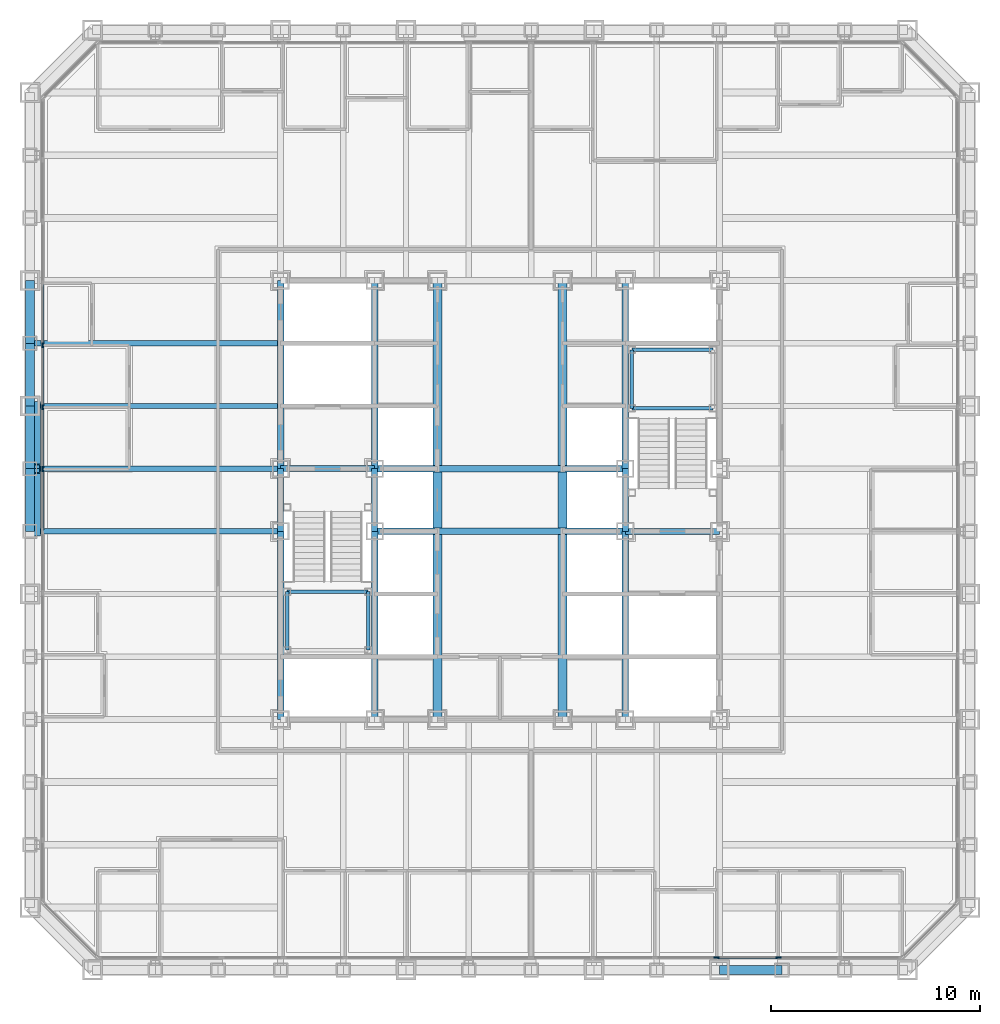
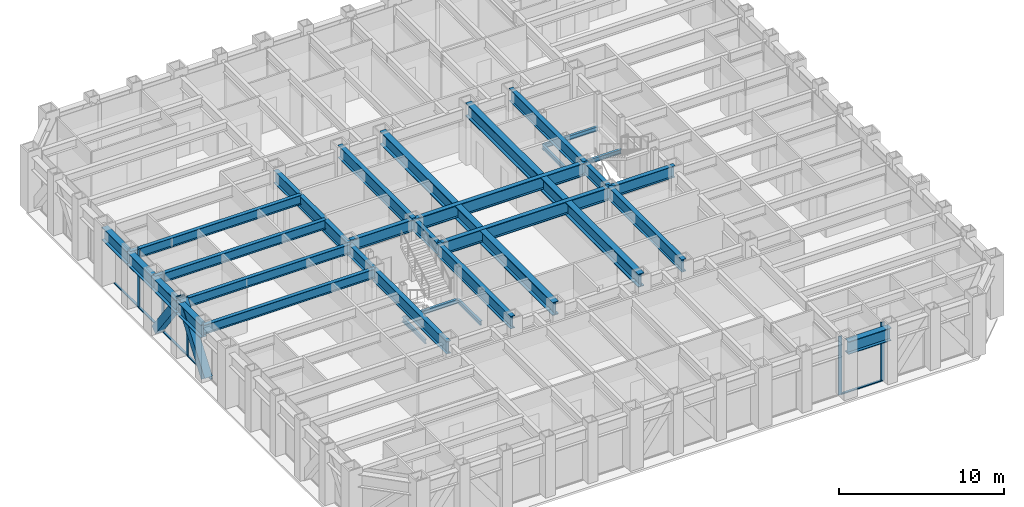
# One storey, part 3 of 16: 34 beams, 12 members, 2 elements without a shape of their own.
"""IFC4 building model written with IfcOpenShell, lengths in metres."""

from ifc_helpers import new_model, si_unit, direction, frame, origin, origin_2d, place, context, subcontext, project, spatial, rectangle, hollow_rectangle, i_section, extrude, material, layer, layer_set, material_profile, profile_set, type_object, element, aggregate, save


model = new_model("IFC4")

# Units and contexts
model_context = context("Model", 3, precision=1e-05, world=origin(), true_north=direction((0.0, 1.0)))
body_context = subcontext(model_context, "Body", "Model", "MODEL_VIEW")
ifc_project = project(units=[si_unit("LENGTHUNIT", "METRE"), si_unit("AREAUNIT", "SQUARE_METRE"), si_unit("VOLUMEUNIT", "CUBIC_METRE"), si_unit("PLANEANGLEUNIT", "RADIAN"), si_unit("MASSUNIT", "GRAM", prefix="KILO")], contexts=[model_context])

# Site, building, storey
site_placement = place(None, origin())
site = spatial("IfcSite", under=ifc_project, at=site_placement, CompositionType="ELEMENT")
building_placement = place(site_placement, origin())
building = spatial("IfcBuilding", under=site, at=building_placement, Name="Chuquiago Exchange Tower", CompositionType="ELEMENT")
storey_placement = place(building_placement, frame((0.0, 0.0, 60.300048828125)))
storey = spatial("IfcBuildingStorey", under=building, at=storey_placement, Name="L12", CompositionType="ELEMENT", Elevation=60.300048828125)

# Beams
ifc_material_1 = material(Name="Steel ASTM A992", Category="steel")
ifc_material_profile_1 = material_profile(ifc_material_1, i_section(OverallWidth=0.307373046875, OverallDepth=0.927001953125, WebThickness=0.01953125, FlangeThickness=0.031982421875, at=origin_2d()), Name="W36X194")
ifc_profile_set_1 = profile_set([ifc_material_profile_1], Name="Steel ASTM A992")
beam_type_1 = type_object("IfcBeamType", Name="B10 W36X194", PredefinedType="BEAM", material=ifc_profile_set_1)
for number, where, z_axis, x_axis, name in (
    (1, (12.0, 12.0, 3.576416015625), (0.0, 1.0, 0.0), (-1.0, 0.0, 0.0), "CB-L13-12_12-12_21"),
    (2, (12.0, 24.0, 3.576416015625), (0.0, 1.0, 0.0), (-1.0, 0.0, 0.0), "CB-L13-12_24-12_33"),
    (3, (16.5, 12.0, 3.87646484375), (0.0, 1.0, 0.0), (-1.0, 0.0, 0.0), "CB-L13-16.5_12-16.5_21"),
    (4, (16.5, 24.0, 3.87646484375), (0.0, 1.0, 0.0), (-1.0, 0.0, 0.0), "CB-L13-16.5_24-16.5_33"),
    (5, (28.5, 12.0, 3.87646484375), (0.0, 1.0, 0.0), (-1.0, 0.0, 0.0), "CB-L13-28.5_12-28.5_21"),
    (6, (28.5, 24.0, 3.87646484375), (0.0, 1.0, 0.0), (-1.0, 0.0, 0.0), "CB-L13-28.5_24-28.5_33"),
):
    element("IfcBeam", number, at=place(storey_placement, frame(where, z_axis=z_axis, x_axis=x_axis)), inside=storey, type_object=beam_type_1, Name=name, PredefinedType="BEAM", context=body_context, shape_type="SweptSolid", body=[
        extrude(i_section(OverallWidth=0.307373046875, OverallDepth=0.927001953125, WebThickness=0.01953125, FlangeThickness=0.031982421875, at=origin_2d()), origin(), (0.0, 0.0, 1.0), 9.0),
    ])
ifc_material_2 = material(Name="Steel ASTM A992", Category="steel")
ifc_material_profile_2 = material_profile(ifc_material_2, i_section(OverallWidth=0.309814453125, OverallDepth=0.949951171875, WebThickness=0.0244140625, FlangeThickness=0.0439453125, at=origin_2d()), Name="W36X256")
ifc_profile_set_2 = profile_set([ifc_material_profile_2], Name="Steel ASTM A992")
beam_type_2 = type_object("IfcBeamType", Name="B11 W36X256", PredefinedType="BEAM", material=ifc_profile_set_2)
for number, where, z_axis, x_axis, name in (
    (7, (16.5, 21.0, 3.864990234375), (1.0, 0.0, 0.0), (0.0, 1.0, 0.0), "CB-L13-16.5_21-28.5_21"),
    (8, (16.5, 24.0, 3.864990234375), (1.0, 0.0, 0.0), (0.0, 1.0, 0.0), "CB-L13-16.5_24-28.5_24"),
):
    element("IfcBeam", number, at=place(storey_placement, frame(where, z_axis=z_axis, x_axis=x_axis)), inside=storey, type_object=beam_type_2, Name=name, PredefinedType="BEAM", context=body_context, shape_type="SweptSolid", body=[
        extrude(i_section(OverallWidth=0.309814453125, OverallDepth=0.949951171875, WebThickness=0.0244140625, FlangeThickness=0.0439453125, at=origin_2d()), origin(), (0.0, 0.0, 1.0), 12.0),
    ])
ifc_material_3 = material(Name="Steel ASTM A992", Category="steel")
ifc_material_profile_3 = material_profile(ifc_material_3, i_section(OverallWidth=0.4267578125, OverallDepth=0.975341796875, WebThickness=0.031005859375, FlangeThickness=0.055908203125, at=origin_2d()), Name="W36X395")
ifc_profile_set_3 = profile_set([ifc_material_profile_3], Name="Steel ASTM A992")
beam_type_3 = type_object("IfcBeamType", Name="B12 W36X395", PredefinedType="BEAM", material=ifc_profile_set_3)
beam_1_placement = place(storey_placement, frame((19.5, 12.0, 3.852294921875), z_axis=(0.0, 1.0, 0.0), x_axis=(-1.0, 0.0, 0.0)))
element("IfcBeam", 9, at=beam_1_placement, inside=storey, type_object=beam_type_3, Name="CB-L13-19.5_12-19.5_20.8451", PredefinedType="BEAM", context=body_context, shape_type="SweptSolid", body=[
    extrude(i_section(OverallWidth=0.4267578125, OverallDepth=0.975341796875, WebThickness=0.031005859375, FlangeThickness=0.055908203125, at=origin_2d()), origin(), (0.0, 0.0, 1.0), 8.84521484375),
])
beam_2_placement = place(storey_placement, frame((19.5, 21.15478515625, 3.852294921875), z_axis=(0.0, 1.0, 0.0), x_axis=(-1.0, 0.0, 0.0)))
element("IfcBeam", 10, at=beam_2_placement, inside=storey, type_object=beam_type_3, Name="CB-L13-19.5_21.1549-19.5_23.8451", PredefinedType="BEAM", context=body_context, shape_type="SweptSolid", body=[
    extrude(i_section(OverallWidth=0.4267578125, OverallDepth=0.975341796875, WebThickness=0.031005859375, FlangeThickness=0.055908203125, at=origin_2d()), origin(), (0.0, 0.0, 1.0), 2.6904296875),
])
for number, where, z_axis, x_axis, name in (
    (11, (19.5, 24.15478515625, 3.852294921875), (0.0, 1.0, 0.0), (-1.0, 0.0, 0.0), "CB-L13-19.5_24.1549-19.5_33"),
    (12, (25.5, 12.0, 3.852294921875), (0.0, 1.0, 0.0), (-1.0, 0.0, 0.0), "CB-L13-25.5_12-25.5_20.8451"),
):
    element("IfcBeam", number, at=place(storey_placement, frame(where, z_axis=z_axis, x_axis=x_axis)), inside=storey, type_object=beam_type_3, Name=name, PredefinedType="BEAM", context=body_context, shape_type="SweptSolid", body=[
        extrude(i_section(OverallWidth=0.4267578125, OverallDepth=0.975341796875, WebThickness=0.031005859375, FlangeThickness=0.055908203125, at=origin_2d()), origin(), (0.0, 0.0, 1.0), 8.84521484375),
    ])
beam_3_placement = place(storey_placement, frame((25.5, 21.15478515625, 3.852294921875), z_axis=(0.0, 1.0, 0.0), x_axis=(-1.0, 0.0, 0.0)))
element("IfcBeam", 13, at=beam_3_placement, inside=storey, type_object=beam_type_3, Name="CB-L13-25.5_21.1549-25.5_23.8451", PredefinedType="BEAM", context=body_context, shape_type="SweptSolid", body=[
    extrude(i_section(OverallWidth=0.4267578125, OverallDepth=0.975341796875, WebThickness=0.031005859375, FlangeThickness=0.055908203125, at=origin_2d()), origin(), (0.0, 0.0, 1.0), 2.6904296875),
])
beam_4_placement = place(storey_placement, frame((25.5, 24.15478515625, 3.852294921875), z_axis=(0.0, 1.0, 0.0), x_axis=(-1.0, 0.0, 0.0)))
element("IfcBeam", 14, at=beam_4_placement, inside=storey, type_object=beam_type_3, Name="CB-L13-25.5_24.1549-25.5_33", PredefinedType="BEAM", context=body_context, shape_type="SweptSolid", body=[
    extrude(i_section(OverallWidth=0.4267578125, OverallDepth=0.975341796875, WebThickness=0.031005859375, FlangeThickness=0.055908203125, at=origin_2d()), origin(), (0.0, 0.0, 1.0), 8.84521484375),
])
ifc_material_4 = material(Name="Steel ASTM A992", Category="steel")
ifc_material_profile_4 = material_profile(ifc_material_4, i_section(OverallWidth=0.2919921875, OverallDepth=0.8583984375, WebThickness=0.01708984375, FlangeThickness=0.031005859375, at=origin_2d()), Name="W33X169")
ifc_profile_set_4 = profile_set([ifc_material_profile_4], Name="Steel ASTM A992")
beam_type_4 = type_object("IfcBeamType", Name="B3 W33X169", PredefinedType="BEAM", material=ifc_profile_set_4)
for number, where, z_axis, x_axis, name in (
    (15, (12.0, 21.0, 3.610595703125), (0.0, 1.0, 0.0), (-1.0, 0.0, 0.0), "CB-L13-12_21-12_24"),
    (16, (16.5, 21.0, 3.91064453125), (0.0, 1.0, 0.0), (-1.0, 0.0, 0.0), "CB-L13-16.5_21-16.5_24"),
    (17, (28.5, 21.0, 3.91064453125), (0.0, 1.0, 0.0), (-1.0, 0.0, 0.0), "CB-L13-28.5_21-28.5_24"),
):
    element("IfcBeam", number, at=place(storey_placement, frame(where, z_axis=z_axis, x_axis=x_axis)), inside=storey, type_object=beam_type_4, Name=name, PredefinedType="BEAM", context=body_context, shape_type="SweptSolid", body=[
        extrude(i_section(OverallWidth=0.2919921875, OverallDepth=0.8583984375, WebThickness=0.01708984375, FlangeThickness=0.031005859375, at=origin_2d()), origin(), (0.0, 0.0, 1.0), 3.0),
    ])
for number, where, z_axis, x_axis, name in (
    (18, (28.5, 21.0, 3.91064453125), (1.0, 0.0, 0.0), (0.0, 1.0, 0.0), "CB-L13-28.5_21-33_21"),
    (19, (12.0, 24.0, 3.91064453125), (1.0, 0.0, 0.0), (0.0, 1.0, 0.0), "CB-L13-12_24-16.5_24"),
):
    element("IfcBeam", number, at=place(storey_placement, frame(where, z_axis=z_axis, x_axis=x_axis)), inside=storey, type_object=beam_type_4, Name=name, PredefinedType="BEAM", context=body_context, shape_type="SweptSolid", body=[
        extrude(i_section(OverallWidth=0.2919921875, OverallDepth=0.8583984375, WebThickness=0.01708984375, FlangeThickness=0.031005859375, at=origin_2d()), origin(), (0.0, 0.0, 1.0), 4.5),
    ])
ifc_material_5 = material(Name="Steel ASTM A992", Category="steel")
ifc_material_profile_5 = material_profile(ifc_material_5, i_section(OverallWidth=0.256591796875, OverallDepth=0.693359375, WebThickness=0.014404296875, FlangeThickness=0.023681640625, at=origin_2d()), Name="W27X114")
ifc_profile_set_5 = profile_set([ifc_material_profile_5], Name="Steel ASTM A992")
beam_type_5 = type_object("IfcBeamType", Name="B4 W27X114", PredefinedType="BEAM", material=ifc_profile_set_5)
for number, where, z_axis, x_axis, name in (
    (20, (12.0, 21.0, 3.693359375), (-1.0, 0.0, 0.0), (0.0, -1.0, 0.0), "FB-L13-infill-12_21--0_21-0"),
    (21, (12.0, 24.0, 3.693359375), (-1.0, 0.0, 0.0), (0.0, -1.0, 0.0), "FB-L13-infill-12_24--0_24-0"),
    (22, (12.0, 27.0, 3.693359375), (-1.0, 0.0, 0.0), (0.0, -1.0, 0.0), "FB-L13-infill-12_27--0_27-0"),
    (23, (12.0, 30.0, 3.693359375), (-1.0, 0.0, 0.0), (0.0, -1.0, 0.0), "FB-L13-infill-12_30--0_30-0"),
):
    element("IfcBeam", number, at=place(storey_placement, frame(where, z_axis=z_axis, x_axis=x_axis)), inside=storey, type_object=beam_type_5, Name=name, PredefinedType="BEAM", context=body_context, shape_type="SweptSolid", body=[
        extrude(i_section(OverallWidth=0.256591796875, OverallDepth=0.693359375, WebThickness=0.014404296875, FlangeThickness=0.023681640625, at=origin_2d()), origin(), (0.0, 0.0, 1.0), 12.0),
    ])

# Curtain wall, members
ifc_material_6 = material(Name="Aluminium curtain wall system", Category="aluminium")
ifc_layer = layer(ifc_material_6, 0.25)
ifc_layer_set = layer_set([ifc_layer], Name="CW1 trading floor curtain wall")
curtain_wall_type = type_object("IfcCurtainWallType", Name="CW1 trading floor curtain wall", PredefinedType="NOTDEFINED", material=ifc_layer_set)
curtain_wall_1_placement = place(storey_placement, origin())
curtain_wall_1 = element("IfcCurtainWall", 24, at=curtain_wall_1_placement, inside=storey, type_object=curtain_wall_type, Name="CW1 curtain wall L12", PredefinedType="NOTDEFINED")
ifc_material_7 = material(Name="Aluminium mullion, pale anodised", Category="aluminium")
ifc_material_profile_6 = material_profile(ifc_material_7, rectangle(XDim=0.074951171875, YDim=0.25, at=origin_2d()), Name="AL 75x250")
ifc_profile_set_6 = profile_set([ifc_material_profile_6], Name="Aluminium mullion, pale anodised")
member_type_1 = type_object("IfcMemberType", Name="CW1-M mullion 75x250", PredefinedType="MULLION", material=ifc_profile_set_6)
member_1_placement = place(storey_placement, frame((32.8662109375, 0.60009765625, -0.300048828125), z_axis=(0.0, 0.0, 1.0), x_axis=(0.0, 1.0, 0.0)))
member_1 = element("IfcMember", 25, at=member_1_placement, type_object=member_type_1, Name="CW1 mullion 11", PredefinedType="MULLION", context=body_context, shape_type="SweptSolid", body=[
    extrude(rectangle(XDim=0.074951171875, YDim=0.25, at=origin_2d()), origin(), (0.0, 0.0, 1.0), 4.340087890625),
])
member_2_placement = place(storey_placement, frame((35.827880859375, 0.60009765625, -0.300048828125), z_axis=(0.0, 0.0, 1.0), x_axis=(0.0, 1.0, 0.0)))
member_2 = element("IfcMember", 26, at=member_2_placement, type_object=member_type_1, Name="CW1 mullion 12", PredefinedType="MULLION", context=body_context, shape_type="SweptSolid", body=[
    extrude(rectangle(XDim=0.074951171875, YDim=0.25, at=origin_2d()), origin(), (0.0, 0.0, 1.0), 4.340087890625),
])

curtain_wall_2_placement = place(storey_placement, origin())
curtain_wall_2 = element("IfcCurtainWall", 27, at=curtain_wall_2_placement, inside=storey, type_object=curtain_wall_type, Name="CW1 curtain wall L12", PredefinedType="NOTDEFINED")
member_3_placement = place(storey_placement, frame((0.60009765625, 29.904541015625, -0.300048828125), z_axis=(0.0, 0.0, 1.0), x_axis=(1.0, 0.0, 0.0)))
member_3 = element("IfcMember", 28, at=member_3_placement, type_object=member_type_1, Name="CW1 mullion 5", PredefinedType="MULLION", context=body_context, shape_type="SweptSolid", body=[
    extrude(rectangle(XDim=0.074951171875, YDim=0.25, at=origin_2d()), origin(), (0.0, 0.0, 1.0), 4.340087890625),
])
member_4_placement = place(storey_placement, frame((0.60009765625, 26.942626953125, -0.300048828125), z_axis=(0.0, 0.0, 1.0), x_axis=(1.0, 0.0, 0.0)))
member_4 = element("IfcMember", 29, at=member_4_placement, type_object=member_type_1, Name="CW1 mullion 6", PredefinedType="MULLION", context=body_context, shape_type="SweptSolid", body=[
    extrude(rectangle(XDim=0.074951171875, YDim=0.25, at=origin_2d()), origin(), (0.0, 0.0, 1.0), 4.340087890625),
])
member_5_placement = place(storey_placement, frame((0.60009765625, 23.98095703125, -0.300048828125), z_axis=(0.0, 0.0, 1.0), x_axis=(1.0, 0.0, 0.0)))
member_5 = element("IfcMember", 30, at=member_5_placement, type_object=member_type_1, Name="CW1 mullion 7", PredefinedType="MULLION", context=body_context, shape_type="SweptSolid", body=[
    extrude(rectangle(XDim=0.074951171875, YDim=0.25, at=origin_2d()), origin(), (0.0, 0.0, 1.0), 4.340087890625),
])

# Member
ifc_material_8 = material(Name="Aluminium transom, pale anodised", Category="aluminium")
ifc_material_profile_7 = material_profile(ifc_material_8, rectangle(XDim=0.14990234375, YDim=0.074951171875, at=origin_2d()), Name="AL 150x75")
ifc_profile_set_7 = profile_set([ifc_material_profile_7], Name="Aluminium transom, pale anodised")
member_type_2 = type_object("IfcMemberType", Name="CW1-T transom 75x150", PredefinedType="MULLION", material=ifc_profile_set_7)
member_6_placement = place(storey_placement, frame((32.90380859375, 0.60009765625, -0.262451171875), z_axis=(1.0, 0.0, 0.0), x_axis=(0.0, 1.0, 0.0)))
member_6 = element("IfcMember", 31, at=member_6_placement, type_object=member_type_2, Name="CW1 transom 11.1", PredefinedType="MULLION", context=body_context, shape_type="SweptSolid", body=[
    extrude(rectangle(XDim=0.14990234375, YDim=0.074951171875, at=origin_2d()), origin(), (0.0, 0.0, 1.0), 2.88671875),
])

aggregate(curtain_wall_1, [member_1, member_2, member_6])

member_7_placement = place(storey_placement, frame((0.60009765625, 32.82861328125, -0.262451171875), z_axis=(0.0, -1.0, 0.0), x_axis=(1.0, 0.0, 0.0)))
member_7 = element("IfcMember", 32, at=member_7_placement, type_object=member_type_2, Name="CW1 transom 4.1", PredefinedType="MULLION", context=body_context, shape_type="SweptSolid", body=[
    extrude(rectangle(XDim=0.14990234375, YDim=0.074951171875, at=origin_2d()), origin(), (0.0, 0.0, 1.0), 2.88671875),
])

member_8_placement = place(storey_placement, frame((0.60009765625, 29.866943359375, -0.262451171875), z_axis=(0.0, -1.0, 0.0), x_axis=(1.0, 0.0, 0.0)))
member_8 = element("IfcMember", 33, at=member_8_placement, type_object=member_type_2, Name="CW1 transom 5.1", PredefinedType="MULLION", context=body_context, shape_type="SweptSolid", body=[
    extrude(rectangle(XDim=0.14990234375, YDim=0.074951171875, at=origin_2d()), origin(), (0.0, 0.0, 1.0), 2.88671875),
])

member_9_placement = place(storey_placement, frame((0.60009765625, 26.9052734375, -0.262451171875), z_axis=(0.0, -1.0, 0.0), x_axis=(1.0, 0.0, 0.0)))
member_9 = element("IfcMember", 34, at=member_9_placement, type_object=member_type_2, Name="CW1 transom 6.1", PredefinedType="MULLION", context=body_context, shape_type="SweptSolid", body=[
    extrude(rectangle(XDim=0.14990234375, YDim=0.074951171875, at=origin_2d()), origin(), (0.0, 0.0, 1.0), 2.886962890625),
])

member_10_placement = place(storey_placement, frame((0.60009765625, 23.943359375, -0.262451171875), z_axis=(0.0, -1.0, 0.0), x_axis=(1.0, 0.0, 0.0)))
member_10 = element("IfcMember", 35, at=member_10_placement, type_object=member_type_2, Name="CW1 transom 7.1", PredefinedType="MULLION", context=body_context, shape_type="SweptSolid", body=[
    extrude(rectangle(XDim=0.14990234375, YDim=0.074951171875, at=origin_2d()), origin(), (0.0, 0.0, 1.0), 2.88671875),
])

aggregate(curtain_wall_2, [member_3, member_4, member_5, member_7, member_8, member_9, member_10])

# Beams
ifc_material_9 = material(Name="Steel ASTM A992", Category="steel")
ifc_material_profile_8 = material_profile(ifc_material_9, i_section(OverallWidth=0.164794921875, OverallDepth=0.309814453125, WebThickness=0.005859375, FlangeThickness=0.009765625, at=origin_2d()), Name="W12X26")
ifc_profile_set_8 = profile_set([ifc_material_profile_8], Name="Steel ASTM A992")
beam_type_6 = type_object("IfcBeamType", Name="LS1 W12X26", PredefinedType="BEAM", material=ifc_profile_set_8)
for number, where, z_axis, x_axis, name in (
    (36, (12.31005859375, 15.31005859375, 1.89501953125), (0.0, 1.0, 0.0), (-1.0, 0.0, 0.0), "Stair ST1 L12 landing 1 stringer"),
    (37, (16.18994140625, 15.31005859375, 1.89501953125), (0.0, 1.0, 0.0), (-1.0, 0.0, 0.0), "Stair ST1 L12 landing 1 stringer"),
    (38, (28.81005859375, 26.889892578125, 1.89501953125), (0.0, 1.0, 0.0), (-1.0, 0.0, 0.0), "Stair ST2 L12 landing 1 stringer"),
):
    element("IfcBeam", number, at=place(storey_placement, frame(where, z_axis=z_axis, x_axis=x_axis)), inside=storey, type_object=beam_type_6, Name=name, PredefinedType="BEAM", context=body_context, shape_type="SweptSolid", body=[
        extrude(i_section(OverallWidth=0.164794921875, OverallDepth=0.309814453125, WebThickness=0.005859375, FlangeThickness=0.009765625, at=origin_2d()), origin(), (0.0, 0.0, 1.0), 2.800048828125),
    ])
ifc_material_10 = material(Name="Steel ASTM A992", Category="steel")
ifc_material_profile_9 = material_profile(ifc_material_10, i_section(OverallWidth=0.164794921875, OverallDepth=0.309814453125, WebThickness=0.005859375, FlangeThickness=0.009765625, at=origin_2d()), Name="W12X26")
ifc_profile_set_9 = profile_set([ifc_material_profile_9], Name="Steel ASTM A992")
beam_type_7 = type_object("IfcBeamType", Name="LT1 W12X26", PredefinedType="BEAM", material=ifc_profile_set_9)
for number, where, z_axis, x_axis, name in (
    (39, (12.31005859375, 18.110107421875, 1.89501953125), (1.0, 0.0, 0.0), (0.0, 1.0, 0.0), "Stair ST1 L12 landing 1 trimmer"),
    (40, (28.81005859375, 29.68994140625, 1.89501953125), (1.0, 0.0, 0.0), (0.0, 1.0, 0.0), "Stair ST2 L12 landing 1 trimmer"),
    (41, (28.81005859375, 26.889892578125, 1.89501953125), (1.0, 0.0, 0.0), (0.0, 1.0, 0.0), "Stair ST2 L12 landing 1 trimmer"),
):
    element("IfcBeam", number, at=place(storey_placement, frame(where, z_axis=z_axis, x_axis=x_axis)), inside=storey, type_object=beam_type_7, Name=name, PredefinedType="BEAM", context=body_context, shape_type="SweptSolid", body=[
        extrude(i_section(OverallWidth=0.164794921875, OverallDepth=0.309814453125, WebThickness=0.005859375, FlangeThickness=0.009765625, at=origin_2d()), origin(), (0.0, 0.0, 1.0), 3.8798828125),
    ])

# Members
ifc_material_11 = material(Name="Steel ASTM A572 Grade 50", Category="steel")
ifc_material_profile_10 = material_profile(ifc_material_11, hollow_rectangle(XDim=0.550048828125, YDim=0.550048828125, WallThickness=0.044921875, at=origin_2d()), Name="BOX550X550X45")
ifc_profile_set_10 = profile_set([ifc_material_profile_10], Name="Steel ASTM A572 Grade 50")
member_type_3 = type_object("IfcMemberType", Name="MB1 BOX550X550X45", PredefinedType="BRACE", material=ifc_profile_set_10)
for number, where, z_axis, x_axis, name in (
    (42, (0.22998046875, 27.0, 0.0), (0.0, -0.596173923302, 0.802855312728), (1.0, 0.0, 0.0), "Mega diagonal L12 W face"),
    (43, (0.22998046875, 21.0, 0.0), (0.0, 0.596173923302, 0.802855312728), (-1.0, 0.0, 0.0), "Mega diagonal L12 W face"),
):
    element("IfcMember", number, at=place(storey_placement, frame(where, z_axis=z_axis, x_axis=x_axis)), inside=storey, type_object=member_type_3, Name=name, PredefinedType="BRACE", context=body_context, shape_type="SweptSolid", body=[
        extrude(hollow_rectangle(XDim=0.550048828125, YDim=0.550048828125, WallThickness=0.044921875, at=origin_2d()), origin(), (0.0, 0.0, 1.0), 5.031982421875),
    ])

# Beams
ifc_material_12 = material(Name="Steel ASTM A992", Category="steel")
ifc_material_profile_11 = material_profile(ifc_material_12, i_section(OverallWidth=0.424072265625, OverallDepth=0.947509765625, WebThickness=0.02392578125, FlangeThickness=0.042724609375, at=origin_2d()), Name="W36X302")
ifc_profile_set_11 = profile_set([ifc_material_profile_11], Name="Steel ASTM A992")
beam_type_8 = type_object("IfcBeamType", Name="SP1 W36X302", PredefinedType="SPANDREL", material=ifc_profile_set_11)
for number, where, z_axis, x_axis, name in (
    (44, (33.0, 0.0, 3.566162109375), (1.0, 0.0, 0.0), (0.0, 1.0, 0.0), "SPB-L13-33_0-36_0"),
    (45, (0.0, 33.0, 3.566162109375), (0.0, -1.0, 0.0), (1.0, 0.0, 0.0), "SPB-L13-0_33-0_30"),
    (46, (0.0, 30.0, 3.566162109375), (0.0, -1.0, 0.0), (1.0, 0.0, 0.0), "SPB-L13-0_30-0_27"),
    (47, (0.0, 27.0, 3.566162109375), (0.0, -1.0, 0.0), (1.0, 0.0, 0.0), "SPB-L13-0_27-0_24"),
    (48, (0.0, 24.0, 3.566162109375), (0.0, -1.0, 0.0), (1.0, 0.0, 0.0), "SPB-L13-0_24-0_21"),
):
    element("IfcBeam", number, at=place(storey_placement, frame(where, z_axis=z_axis, x_axis=x_axis)), inside=storey, type_object=beam_type_8, Name=name, PredefinedType="SPANDREL", context=body_context, shape_type="SweptSolid", body=[
        extrude(i_section(OverallWidth=0.424072265625, OverallDepth=0.947509765625, WebThickness=0.02392578125, FlangeThickness=0.042724609375, at=origin_2d()), origin(), (0.0, 0.0, 1.0), 3.0),
    ])

save(model, "model.ifc")
